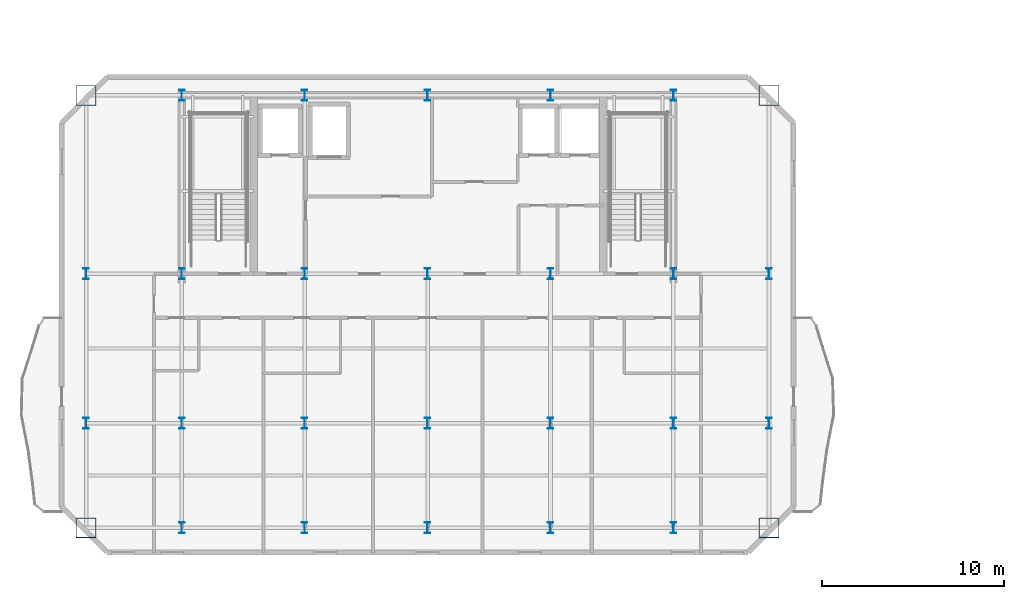
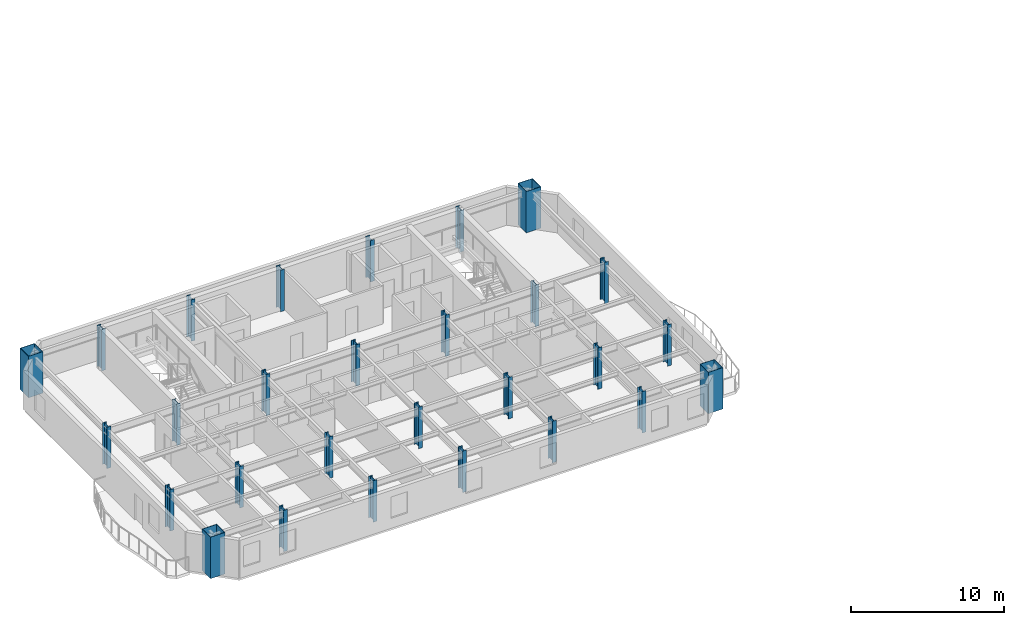
# One storey, part 1 of 13: 28 columns.
"""IFC4 building model written with IfcOpenShell, lengths in metres."""

from ifc_helpers import new_model, si_unit, direction, frame, origin, origin_2d, place, context, subcontext, project, spatial, hollow_rectangle, i_section, extrude, material, material_profile, profile_set, type_object, element, save


model = new_model("IFC4")

# Units and contexts
model_context = context("Model", 3, precision=1e-05, world=origin(), true_north=direction((0.0, 1.0)))
body_context = subcontext(model_context, "Body", "Model", "MODEL_VIEW")
ifc_project = project(units=[si_unit("LENGTHUNIT", "METRE"), si_unit("AREAUNIT", "SQUARE_METRE"), si_unit("VOLUMEUNIT", "CUBIC_METRE"), si_unit("PLANEANGLEUNIT", "RADIAN"), si_unit("MASSUNIT", "GRAM", prefix="KILO")], contexts=[model_context])

# Site, building, storey
site_placement = place(None, origin())
site = spatial("IfcSite", under=ifc_project, at=site_placement, CompositionType="ELEMENT")
building_placement = place(site_placement, origin())
building = spatial("IfcBuilding", under=site, at=building_placement, Name="Haevon Station Towers", CompositionType="ELEMENT")
storey_placement = place(building_placement, frame((0.0, 0.0, 222.0)))
storey = spatial("IfcBuildingStorey", under=building, at=storey_placement, Name="L61", CompositionType="ELEMENT", Elevation=222.0)

# Columns
ifc_material_1 = material(Name="Steel S460", Category="steel")
ifc_material_profile_1 = material_profile(ifc_material_1, hollow_rectangle(XDim=1.10009765625, YDim=1.10009765625, WallThickness=0.031982421875, at=origin_2d()), Name="BOX-1100x1100x32")
ifc_profile_set_1 = profile_set([ifc_material_profile_1], Name="Steel S460")
column_type_1 = type_object("IfcColumnType", Name="COL-MC5", PredefinedType="COLUMN", material=ifc_profile_set_1)
for number, where, z_axis, x_axis, name in (
    (1, (18.75, 24.25, 0.0), (0.0, 0.0, 1.0), (1.0, 0.0, 0.0), "COL-T1-L61-01-01"),
    (2, (18.75, 48.0, 0.0), (0.0, 0.0, 1.0), (1.0, 0.0, 0.0), "COL-T1-L61-01-04"),
    (3, (56.25, 24.25, 0.0), (0.0, 0.0, 1.0), (1.0, 0.0, 0.0), "COL-T1-L61-07-01"),
    (4, (56.25, 48.0, 0.0), (0.0, 0.0, 1.0), (1.0, 0.0, 0.0), "COL-T1-L61-07-04"),
):
    element("IfcColumn", number, at=place(storey_placement, frame(where, z_axis=z_axis, x_axis=x_axis)), inside=storey, type_object=column_type_1, Name=name, PredefinedType="COLUMN", context=body_context, shape_type="SweptSolid", body=[
        extrude(hollow_rectangle(XDim=1.10009765625, YDim=1.10009765625, WallThickness=0.031982421875, at=origin_2d()), origin(), (0.0, 0.0, 1.0), 3.300048828125),
    ])
ifc_material_2 = material(Name="Steel S355", Category="steel")
ifc_material_profile_2 = material_profile(ifc_material_2, i_section(OverallWidth=0.300048828125, OverallDepth=0.60009765625, WebThickness=0.013916015625, FlangeThickness=0.02490234375, at=origin_2d()), Name="H-600x300x14x25")
ifc_profile_set_2 = profile_set([ifc_material_profile_2], Name="Steel S355")
column_type_2 = type_object("IfcColumnType", Name="COL-TW4", PredefinedType="COLUMN", material=ifc_profile_set_2)
for number, where, z_axis, x_axis, name in (
    (5, (18.75, 30.0, 0.0), (0.0, 0.0, 1.0), (1.0, 0.0, 0.0), "COL-T1-L61-01-02"),
    (6, (18.75, 38.199951171875, 0.0), (0.0, 0.0, 1.0), (1.0, 0.0, 0.0), "COL-T1-L61-01-03"),
    (7, (24.0, 24.25, 0.0), (0.0, 0.0, 1.0), (1.0, 0.0, 0.0), "COL-T1-L61-02-01"),
    (8, (24.0, 30.0, 0.0), (0.0, 0.0, 1.0), (1.0, 0.0, 0.0), "COL-T1-L61-02-02"),
    (9, (24.0, 38.199951171875, 0.0), (0.0, 0.0, 1.0), (1.0, 0.0, 0.0), "COL-T1-L61-02-03"),
    (10, (24.0, 48.0, 0.0), (0.0, 0.0, 1.0), (1.0, 0.0, 0.0), "COL-T1-L61-02-04"),
    (11, (30.75, 24.25, 0.0), (0.0, 0.0, 1.0), (1.0, 0.0, 0.0), "COL-T1-L61-03-01"),
    (12, (30.75, 30.0, 0.0), (0.0, 0.0, 1.0), (1.0, 0.0, 0.0), "COL-T1-L61-03-02"),
    (13, (30.75, 38.199951171875, 0.0), (0.0, 0.0, 1.0), (1.0, 0.0, 0.0), "COL-T1-L61-03-03"),
    (14, (30.75, 48.0, 0.0), (0.0, 0.0, 1.0), (1.0, 0.0, 0.0), "COL-T1-L61-03-04"),
    (15, (37.5, 24.25, 0.0), (0.0, 0.0, 1.0), (1.0, 0.0, 0.0), "COL-T1-L61-04-01"),
    (16, (37.5, 30.0, 0.0), (0.0, 0.0, 1.0), (1.0, 0.0, 0.0), "COL-T1-L61-04-02"),
    (17, (37.5, 38.199951171875, 0.0), (0.0, 0.0, 1.0), (1.0, 0.0, 0.0), "COL-T1-L61-04-03"),
    (18, (37.5, 48.0, 0.0), (0.0, 0.0, 1.0), (1.0, 0.0, 0.0), "COL-T1-L61-04-04"),
    (19, (44.25, 24.25, 0.0), (0.0, 0.0, 1.0), (1.0, 0.0, 0.0), "COL-T1-L61-05-01"),
    (20, (44.25, 30.0, 0.0), (0.0, 0.0, 1.0), (1.0, 0.0, 0.0), "COL-T1-L61-05-02"),
    (21, (44.25, 38.199951171875, 0.0), (0.0, 0.0, 1.0), (1.0, 0.0, 0.0), "COL-T1-L61-05-03"),
    (22, (44.25, 48.0, 0.0), (0.0, 0.0, 1.0), (1.0, 0.0, 0.0), "COL-T1-L61-05-04"),
    (23, (51.0, 24.25, 0.0), (0.0, 0.0, 1.0), (1.0, 0.0, 0.0), "COL-T1-L61-06-01"),
    (24, (51.0, 30.0, 0.0), (0.0, 0.0, 1.0), (1.0, 0.0, 0.0), "COL-T1-L61-06-02"),
    (25, (51.0, 38.199951171875, 0.0), (0.0, 0.0, 1.0), (1.0, 0.0, 0.0), "COL-T1-L61-06-03"),
    (26, (51.0, 48.0, 0.0), (0.0, 0.0, 1.0), (1.0, 0.0, 0.0), "COL-T1-L61-06-04"),
    (27, (56.25, 30.0, 0.0), (0.0, 0.0, 1.0), (1.0, 0.0, 0.0), "COL-T1-L61-07-02"),
    (28, (56.25, 38.199951171875, 0.0), (0.0, 0.0, 1.0), (1.0, 0.0, 0.0), "COL-T1-L61-07-03"),
):
    element("IfcColumn", number, at=place(storey_placement, frame(where, z_axis=z_axis, x_axis=x_axis)), inside=storey, type_object=column_type_2, Name=name, PredefinedType="COLUMN", context=body_context, shape_type="SweptSolid", body=[
        extrude(i_section(OverallWidth=0.300048828125, OverallDepth=0.60009765625, WebThickness=0.013916015625, FlangeThickness=0.02490234375, at=origin_2d()), origin(), (0.0, 0.0, 1.0), 3.300048828125),
    ])

save(model, "model.ifc")
